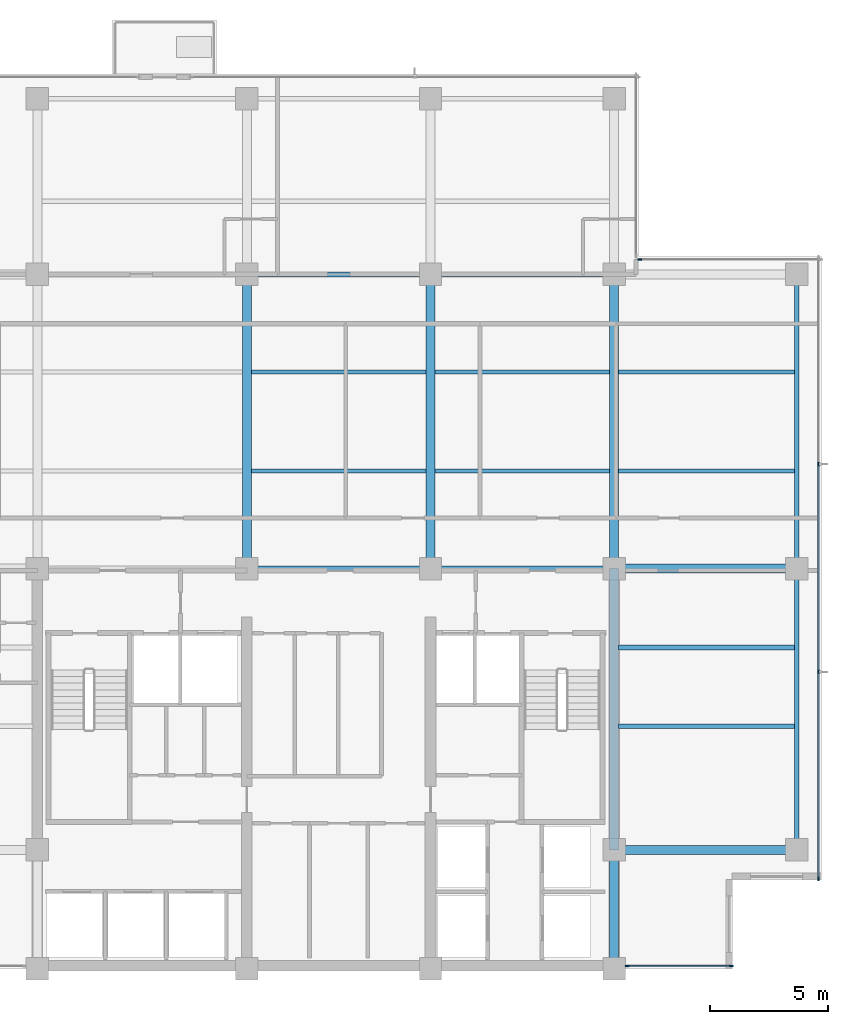
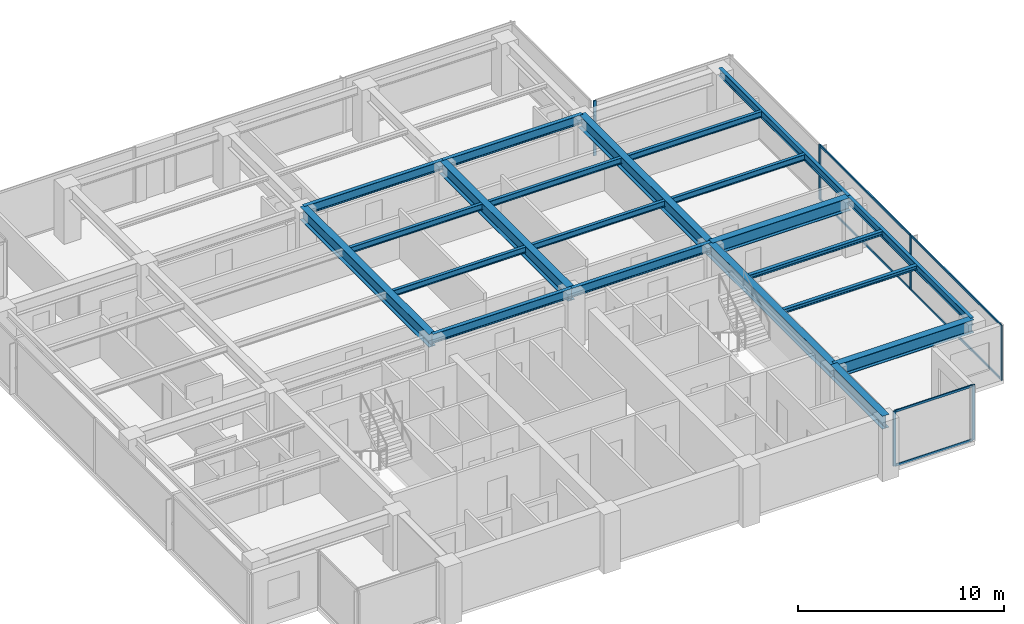
# One storey, part 3 of 14: 21 beams, 12 members, 3 elements without a shape of their own.
"""IFC4 building model written with IfcOpenShell, lengths in metres."""

from ifc_helpers import new_model, si_unit, direction, frame, origin, origin_2d, place, context, subcontext, project, spatial, rectangle, i_section, extrude, material, layer, layer_set, material_profile, profile_set, type_object, element, aggregate, save


model = new_model("IFC4")

# Units and contexts
model_context = context("Model", 3, precision=1e-05, world=origin(), true_north=direction((0.0, 1.0)))
body_context = subcontext(model_context, "Body", "Model", "MODEL_VIEW")
ifc_project = project(units=[si_unit("LENGTHUNIT", "METRE"), si_unit("AREAUNIT", "SQUARE_METRE"), si_unit("VOLUMEUNIT", "CUBIC_METRE"), si_unit("PLANEANGLEUNIT", "RADIAN"), si_unit("MASSUNIT", "GRAM", prefix="KILO")], contexts=[model_context])

# Site, building, storey
site_placement = place(None, origin())
site = spatial("IfcSite", under=ifc_project, at=site_placement, CompositionType="ELEMENT")
building_placement = place(site_placement, origin())
building = spatial("IfcBuilding", under=site, at=building_placement, Name="Qalmaran Belvedere Hotel", CompositionType="ELEMENT")
storey_placement = place(building_placement, frame((0.0, 0.0, 224.89990234375)))
storey = spatial("IfcBuildingStorey", under=building, at=storey_placement, Name="L57", CompositionType="ELEMENT", Elevation=224.89990234375)

# Beams
ifc_material_1 = material(Name="Steel S355JR", Category="steel")
ifc_material_profile_1 = material_profile(ifc_material_1, i_section(OverallWidth=0.201904296875, OverallDepth=0.2470703125, WebThickness=0.00732421875, FlangeThickness=0.010986328125, FilletRadius=0.011962890625, at=origin_2d()), Name="W250X49")
ifc_profile_set_1 = profile_set([ifc_material_profile_1], Name="Steel S355JR")
beam_type_1 = type_object("IfcBeamType", Name="BM-JST-W250X49", PredefinedType="JOIST", material=ifc_profile_set_1)
for number, where, z_axis, x_axis, name in (
    (1, (44.988525390625, 13.800048828125, 3.13671875), (1.0, 0.0, 0.0), (0.0, 1.0, 0.0), "L57 East Wing Joist 039"),
    (2, (44.988525390625, 17.14990234375, 3.13671875), (1.0, 0.0, 0.0), (0.0, 1.0, 0.0), "L57 East Wing Joist 041"),
):
    element("IfcBeam", number, at=place(storey_placement, frame(where, z_axis=z_axis, x_axis=x_axis)), inside=storey, type_object=beam_type_1, Name=name, PredefinedType="JOIST", context=body_context, shape_type="SweptSolid", body=[
        extrude(i_section(OverallWidth=0.201904296875, OverallDepth=0.2470703125, WebThickness=0.00732421875, FlangeThickness=0.010986328125, FilletRadius=0.011962890625, at=origin_2d()), origin(), (0.0, 0.0, 1.0), 7.467529296875),
    ])
ifc_material_profile_2 = material_profile(ifc_material_1, i_section(OverallWidth=0.381103515625, OverallDepth=0.77294921875, WebThickness=0.0166015625, FlangeThickness=0.027099609375, FilletRadius=0.02197265625, at=origin_2d()), Name="W760X257")
ifc_profile_set_2 = profile_set([ifc_material_profile_2], Name="Steel S355JR")
beam_type_2 = type_object("IfcBeamType", Name="BM-PG4-W760X257", PredefinedType="USERDEFINED", material=ifc_profile_set_2)
for number, where, z_axis, x_axis, name in (
    (3, (29.199951171875, 20.5, 2.87353515625), (0.0, 1.0, 0.0), (-1.0, 0.0, 0.0), "L57 Mid-Plate N-S Girder 16"),
    (4, (37.0, 20.5, 2.87353515625), (0.0, 1.0, 0.0), (-1.0, 0.0, 0.0), "L57 Mid-Plate N-S Girder 18"),
    (5, (44.800048828125, 20.5, 2.87353515625), (0.0, 1.0, 0.0), (-1.0, 0.0, 0.0), "L57 Mid-Plate N-S Girder 20"),
):
    element("IfcBeam", number, at=place(storey_placement, frame(where, z_axis=z_axis, x_axis=x_axis)), inside=storey, type_object=beam_type_2, Name=name, ObjectType="GIRDER", PredefinedType="USERDEFINED", context=body_context, shape_type="SweptSolid", body=[
        extrude(i_section(OverallWidth=0.381103515625, OverallDepth=0.77294921875, WebThickness=0.0166015625, FlangeThickness=0.027099609375, FilletRadius=0.02197265625, at=origin_2d()), origin(), (0.0, 0.0, 1.0), 12.5),
    ])
beam_1_placement = place(storey_placement, frame((44.800048828125, 3.5, 2.87353515625), z_axis=(0.0, 1.0, 0.0), x_axis=(-1.0, 0.0, 0.0)))
element("IfcBeam", 6, at=beam_1_placement, inside=storey, type_object=beam_type_2, Name="L57 East Core Edge Girder A", ObjectType="GIRDER", PredefinedType="USERDEFINED", context=body_context, shape_type="SweptSolid", body=[
    extrude(i_section(OverallWidth=0.381103515625, OverallDepth=0.77294921875, WebThickness=0.0166015625, FlangeThickness=0.027099609375, FilletRadius=0.02197265625, at=origin_2d()), origin(), (0.0, 0.0, 1.0), 5.050048828125),
])
beam_2_placement = place(storey_placement, frame((44.800048828125, 8.550048828125, 2.87353515625), z_axis=(0.0, 1.0, 0.0), x_axis=(-1.0, 0.0, 0.0)))
element("IfcBeam", 7, at=beam_2_placement, inside=storey, type_object=beam_type_2, Name="L57 East Core Edge Girder B", ObjectType="GIRDER", PredefinedType="USERDEFINED", context=body_context, shape_type="SweptSolid", body=[
    extrude(i_section(OverallWidth=0.381103515625, OverallDepth=0.77294921875, WebThickness=0.0166015625, FlangeThickness=0.027099609375, FilletRadius=0.02197265625, at=origin_2d()), origin(), (0.0, 0.0, 1.0), 11.949951171875),
])
for number, where, z_axis, x_axis, name in (
    (8, (44.800048828125, 8.550048828125, 2.87353515625), (1.0, 0.0, 0.0), (0.0, 1.0, 0.0), "L57 East Wing Girder 25"),
    (9, (44.800048828125, 20.5, 2.87353515625), (1.0, 0.0, 0.0), (0.0, 1.0, 0.0), "L57 East Wing Girder 26"),
):
    element("IfcBeam", number, at=place(storey_placement, frame(where, z_axis=z_axis, x_axis=x_axis)), inside=storey, type_object=beam_type_2, Name=name, ObjectType="GIRDER", PredefinedType="USERDEFINED", context=body_context, shape_type="SweptSolid", body=[
        extrude(i_section(OverallWidth=0.381103515625, OverallDepth=0.77294921875, WebThickness=0.0166015625, FlangeThickness=0.027099609375, FilletRadius=0.02197265625, at=origin_2d()), origin(), (0.0, 0.0, 1.0), 7.75),
    ])
ifc_material_profile_3 = material_profile(ifc_material_1, i_section(OverallWidth=0.172119140625, OverallDepth=0.35791015625, WebThickness=0.0078125, FlangeThickness=0.01318359375, FilletRadius=0.014892578125, at=origin_2d()), Name="W360X57")
ifc_profile_set_3 = profile_set([ifc_material_profile_3], Name="Steel S355JR")
beam_type_3 = type_object("IfcBeamType", Name="BM-SB4-W360X57", PredefinedType="BEAM", material=ifc_profile_set_3)
for number, where, z_axis, x_axis, name in (
    (10, (29.388427734375, 24.64990234375, 3.0810546875), (1.0, 0.0, 0.0), (0.0, 1.0, 0.0), "L57 Secondary Floor Beam 030"),
    (11, (37.1884765625, 24.64990234375, 3.0810546875), (1.0, 0.0, 0.0), (0.0, 1.0, 0.0), "L57 Secondary Floor Beam 031"),
):
    element("IfcBeam", number, at=place(storey_placement, frame(where, z_axis=z_axis, x_axis=x_axis)), inside=storey, type_object=beam_type_3, Name=name, PredefinedType="BEAM", context=body_context, shape_type="SweptSolid", body=[
        extrude(i_section(OverallWidth=0.172119140625, OverallDepth=0.35791015625, WebThickness=0.0078125, FlangeThickness=0.01318359375, FilletRadius=0.014892578125, at=origin_2d()), origin(), (0.0, 0.0, 1.0), 7.423095703125),
    ])
beam_3_placement = place(storey_placement, frame((44.988525390625, 24.64990234375, 3.0810546875), z_axis=(1.0, 0.0, 0.0), x_axis=(0.0, 1.0, 0.0)))
element("IfcBeam", 12, at=beam_3_placement, inside=storey, type_object=beam_type_3, Name="L57 East Secondary Beam 032", PredefinedType="BEAM", context=body_context, shape_type="SweptSolid", body=[
    extrude(i_section(OverallWidth=0.172119140625, OverallDepth=0.35791015625, WebThickness=0.0078125, FlangeThickness=0.01318359375, FilletRadius=0.014892578125, at=origin_2d()), origin(), (0.0, 0.0, 1.0), 7.467529296875),
])
for number, where, z_axis, x_axis, name in (
    (13, (29.388427734375, 28.85009765625, 3.0810546875), (1.0, 0.0, 0.0), (0.0, 1.0, 0.0), "L57 Secondary Floor Beam 035"),
    (14, (37.1884765625, 28.85009765625, 3.0810546875), (1.0, 0.0, 0.0), (0.0, 1.0, 0.0), "L57 Secondary Floor Beam 036"),
):
    element("IfcBeam", number, at=place(storey_placement, frame(where, z_axis=z_axis, x_axis=x_axis)), inside=storey, type_object=beam_type_3, Name=name, PredefinedType="BEAM", context=body_context, shape_type="SweptSolid", body=[
        extrude(i_section(OverallWidth=0.172119140625, OverallDepth=0.35791015625, WebThickness=0.0078125, FlangeThickness=0.01318359375, FilletRadius=0.014892578125, at=origin_2d()), origin(), (0.0, 0.0, 1.0), 7.423095703125),
    ])
beam_4_placement = place(storey_placement, frame((44.988525390625, 28.85009765625, 3.0810546875), z_axis=(1.0, 0.0, 0.0), x_axis=(0.0, 1.0, 0.0)))
element("IfcBeam", 15, at=beam_4_placement, inside=storey, type_object=beam_type_3, Name="L57 East Secondary Beam 037", PredefinedType="BEAM", context=body_context, shape_type="SweptSolid", body=[
    extrude(i_section(OverallWidth=0.172119140625, OverallDepth=0.35791015625, WebThickness=0.0078125, FlangeThickness=0.01318359375, FilletRadius=0.014892578125, at=origin_2d()), origin(), (0.0, 0.0, 1.0), 7.467529296875),
])
ifc_material_profile_4 = material_profile(ifc_material_1, i_section(OverallWidth=0.19189453125, OverallDepth=0.462890625, WebThickness=0.010498046875, FlangeThickness=0.017578125, FilletRadius=0.01611328125, at=origin_2d()), Name="W460X89")
ifc_profile_set_4 = profile_set([ifc_material_profile_4], Name="Steel S355JR")
beam_type_4 = type_object("IfcBeamType", Name="BM-SP2-W460X89", PredefinedType="SPANDREL", material=ifc_profile_set_4)
beam_5_placement = place(storey_placement, frame((52.550048828125, 8.550048828125, 3.028564453125), z_axis=(0.0, 1.0, 0.0), x_axis=(-1.0, 0.0, 0.0)))
element("IfcBeam", 16, at=beam_5_placement, inside=storey, type_object=beam_type_4, Name="L57 Perimeter Spandrel 03", PredefinedType="SPANDREL", context=body_context, shape_type="SweptSolid", body=[
    extrude(i_section(OverallWidth=0.19189453125, OverallDepth=0.462890625, WebThickness=0.010498046875, FlangeThickness=0.017578125, FilletRadius=0.01611328125, at=origin_2d()), origin(), (0.0, 0.0, 1.0), 11.949951171875),
])
beam_6_placement = place(storey_placement, frame((52.550048828125, 20.5, 3.028564453125), z_axis=(0.0, 1.0, 0.0), x_axis=(-1.0, 0.0, 0.0)))
element("IfcBeam", 17, at=beam_6_placement, inside=storey, type_object=beam_type_4, Name="L57 Perimeter Spandrel 04", PredefinedType="SPANDREL", context=body_context, shape_type="SweptSolid", body=[
    extrude(i_section(OverallWidth=0.19189453125, OverallDepth=0.462890625, WebThickness=0.010498046875, FlangeThickness=0.017578125, FilletRadius=0.01611328125, at=origin_2d()), origin(), (0.0, 0.0, 1.0), 12.5),
])
ifc_material_profile_5 = material_profile(ifc_material_1, i_section(OverallWidth=0.2109375, OverallDepth=0.5390625, WebThickness=0.01171875, FlangeThickness=0.018798828125, FilletRadius=0.01806640625, at=origin_2d()), Name="W530X109")
ifc_profile_set_5 = profile_set([ifc_material_profile_5], Name="Steel S355JR")
beam_type_5 = type_object("IfcBeamType", Name="BM-Z4-W530X109", PredefinedType="USERDEFINED", material=ifc_profile_set_5)
for number, where, z_axis, x_axis, name in (
    (18, (29.199951171875, 20.5, 2.990478515625), (1.0, 0.0, 0.0), (0.0, 1.0, 0.0), "L57 Interior E-W Girder 09"),
    (19, (37.0, 20.5, 2.990478515625), (1.0, 0.0, 0.0), (0.0, 1.0, 0.0), "L57 Interior E-W Girder 10"),
    (20, (29.199951171875, 33.0, 2.990478515625), (1.0, 0.0, 0.0), (0.0, 1.0, 0.0), "L57 Interior E-W Girder 12"),
    (21, (37.0, 33.0, 2.990478515625), (1.0, 0.0, 0.0), (0.0, 1.0, 0.0), "L57 Interior E-W Girder 13"),
):
    element("IfcBeam", number, at=place(storey_placement, frame(where, z_axis=z_axis, x_axis=x_axis)), inside=storey, type_object=beam_type_5, Name=name, ObjectType="GIRDER", PredefinedType="USERDEFINED", context=body_context, shape_type="SweptSolid", body=[
        extrude(i_section(OverallWidth=0.2109375, OverallDepth=0.5390625, WebThickness=0.01171875, FlangeThickness=0.018798828125, FilletRadius=0.01806640625, at=origin_2d()), origin(), (0.0, 0.0, 1.0), 7.800048828125),
    ])

# Curtain wall, members
ifc_material_2 = material(Name="Anodised Bronze Aluminium", Category="aluminium")
ifc_layer = layer(ifc_material_2, 0.18994140625, Name="Anodised Bronze Aluminium")
ifc_layer_set = layer_set([ifc_layer], Name="Anodised Bronze Aluminium")
curtain_wall_type = type_object("IfcCurtainWallType", Name="CW5-TOWER-UPPER", PredefinedType="NOTDEFINED", material=ifc_layer_set)
curtain_wall_1_placement = place(storey_placement, origin())
curtain_wall_1 = element("IfcCurtainWall", 22, at=curtain_wall_1_placement, inside=storey, type_object=curtain_wall_type, Name="L57 Curtain Wall CW5", PredefinedType="NOTDEFINED")
ifc_material_profile_6 = material_profile(ifc_material_2, rectangle(XDim=0.06494140625, YDim=0.1650390625, at=origin_2d()), Name="CWM65X165")
ifc_profile_set_6 = profile_set([ifc_material_profile_6], Name="Anodised Bronze Aluminium")
member_type_1 = type_object("IfcMemberType", Name="CWM-65X165", PredefinedType="MULLION", material=ifc_profile_set_6)
member_1_placement = place(storey_placement, frame((45.347412109375, 3.6201171875, 0.0), z_axis=(0.0, 0.0, 1.0), x_axis=(0.0, 1.0, 0.0)))
member_1 = element("IfcMember", 23, at=member_1_placement, type_object=member_type_1, Name="CW5 mullion 1", PredefinedType="MULLION", context=body_context, shape_type="SweptSolid", body=[
    extrude(rectangle(XDim=0.06494140625, YDim=0.1650390625, at=origin_2d()), origin(), (0.0, 0.0, 1.0), 3.260009765625),
])
member_2_placement = place(storey_placement, frame((49.767578125, 3.6201171875, 0.0), z_axis=(0.0, 0.0, 1.0), x_axis=(0.0, 1.0, 0.0)))
member_2 = element("IfcMember", 24, at=member_2_placement, type_object=member_type_1, Name="CW5 mullion 2", PredefinedType="MULLION", context=body_context, shape_type="SweptSolid", body=[
    extrude(rectangle(XDim=0.06494140625, YDim=0.1650390625, at=origin_2d()), origin(), (0.0, 0.0, 1.0), 3.260009765625),
])

curtain_wall_2_placement = place(storey_placement, origin())
curtain_wall_2 = element("IfcCurtainWall", 25, at=curtain_wall_2_placement, inside=storey, type_object=curtain_wall_type, Name="L57 Curtain Wall CW5", PredefinedType="NOTDEFINED")
member_3_placement = place(storey_placement, frame((53.47998046875, 7.33251953125, 0.0), z_axis=(0.0, 0.0, 1.0), x_axis=(-1.0, 0.0, 0.0)))
member_3 = element("IfcMember", 26, at=member_3_placement, type_object=member_type_1, Name="CW5 mullion 1", PredefinedType="MULLION", context=body_context, shape_type="SweptSolid", body=[
    extrude(rectangle(XDim=0.06494140625, YDim=0.1650390625, at=origin_2d()), origin(), (0.0, 0.0, 1.0), 3.260009765625),
])
member_4_placement = place(storey_placement, frame((53.47998046875, 16.11669921875, 0.0), z_axis=(0.0, 0.0, 1.0), x_axis=(-1.0, 0.0, 0.0)))
member_4 = element("IfcMember", 27, at=member_4_placement, type_object=member_type_1, Name="CW5 mullion 2", PredefinedType="MULLION", context=body_context, shape_type="SweptSolid", body=[
    extrude(rectangle(XDim=0.06494140625, YDim=0.1650390625, at=origin_2d()), origin(), (0.0, 0.0, 1.0), 3.260009765625),
])
member_5_placement = place(storey_placement, frame((53.47998046875, 24.933349609375, 0.0), z_axis=(0.0, 0.0, 1.0), x_axis=(-1.0, 0.0, 0.0)))
member_5 = element("IfcMember", 28, at=member_5_placement, type_object=member_type_1, Name="CW5 mullion 3", PredefinedType="MULLION", context=body_context, shape_type="SweptSolid", body=[
    extrude(rectangle(XDim=0.06494140625, YDim=0.1650390625, at=origin_2d()), origin(), (0.0, 0.0, 1.0), 3.260009765625),
])

# Curtain wall, member
curtain_wall_3_placement = place(storey_placement, origin())
curtain_wall_3 = element("IfcCurtainWall", 29, at=curtain_wall_3_placement, inside=storey, type_object=curtain_wall_type, Name="L57 Curtain Wall CW5", PredefinedType="NOTDEFINED")
member_6_placement = place(storey_placement, frame((45.882568359375, 33.6298828125, 0.0), z_axis=(0.0, 0.0, 1.0), x_axis=(0.0, -1.0, 0.0)))
member_6 = element("IfcMember", 30, at=member_6_placement, type_object=member_type_1, Name="CW5 mullion 2", PredefinedType="MULLION", context=body_context, shape_type="SweptSolid", body=[
    extrude(rectangle(XDim=0.06494140625, YDim=0.1650390625, at=origin_2d()), origin(), (0.0, 0.0, 1.0), 3.260009765625),
])
aggregate(curtain_wall_3, [member_6])

# Member
ifc_material_profile_7 = material_profile(ifc_material_2, rectangle(XDim=0.06494140625, YDim=0.1298828125, at=origin_2d()), Name="CWT65X130")
ifc_profile_set_7 = profile_set([ifc_material_profile_7], Name="Anodised Bronze Aluminium")
member_type_2 = type_object("IfcMemberType", Name="CWT-65X130", PredefinedType="USERDEFINED", material=ifc_profile_set_7)
member_7_placement = place(storey_placement, frame((45.3798828125, 3.6201171875, 0.03271484375), z_axis=(1.0, 0.0, 0.0), x_axis=(0.0, 1.0, 0.0)))
member_7 = element("IfcMember", 31, at=member_7_placement, type_object=member_type_2, Name="CW5 transom 1.1", ObjectType="TRANSOM", PredefinedType="USERDEFINED", context=body_context, shape_type="SweptSolid", body=[
    extrude(rectangle(XDim=0.06494140625, YDim=0.1298828125, at=origin_2d()), origin(), (0.0, 0.0, 1.0), 4.355224609375),
])

member_8_placement = place(storey_placement, frame((45.3798828125, 3.6201171875, 3.2275390625), z_axis=(1.0, 0.0, 0.0), x_axis=(0.0, 1.0, 0.0)))
member_8 = element("IfcMember", 32, at=member_8_placement, type_object=member_type_2, Name="CW5 transom 1.2", ObjectType="TRANSOM", PredefinedType="USERDEFINED", context=body_context, shape_type="SweptSolid", body=[
    extrude(rectangle(XDim=0.06494140625, YDim=0.1298828125, at=origin_2d()), origin(), (0.0, 0.0, 1.0), 4.355224609375),
])

aggregate(curtain_wall_1, [member_1, member_2, member_7, member_8])

member_9_placement = place(storey_placement, frame((53.47998046875, 7.364990234375, 0.03271484375), z_axis=(0.0, 1.0, 0.0), x_axis=(-1.0, 0.0, 0.0)))
member_9 = element("IfcMember", 33, at=member_9_placement, type_object=member_type_2, Name="CW5 transom 1.1", ObjectType="TRANSOM", PredefinedType="USERDEFINED", context=body_context, shape_type="SweptSolid", body=[
    extrude(rectangle(XDim=0.06494140625, YDim=0.1298828125, at=origin_2d()), origin(), (0.0, 0.0, 1.0), 8.71923828125),
])

member_10_placement = place(storey_placement, frame((53.47998046875, 7.364990234375, 3.2275390625), z_axis=(0.0, 1.0, 0.0), x_axis=(-1.0, 0.0, 0.0)))
member_10 = element("IfcMember", 34, at=member_10_placement, type_object=member_type_2, Name="CW5 transom 1.2", ObjectType="TRANSOM", PredefinedType="USERDEFINED", context=body_context, shape_type="SweptSolid", body=[
    extrude(rectangle(XDim=0.06494140625, YDim=0.1298828125, at=origin_2d()), origin(), (0.0, 0.0, 1.0), 8.71923828125),
])

member_11_placement = place(storey_placement, frame((53.47998046875, 16.149169921875, 0.03271484375), z_axis=(0.0, 1.0, 0.0), x_axis=(-1.0, 0.0, 0.0)))
member_11 = element("IfcMember", 35, at=member_11_placement, type_object=member_type_2, Name="CW5 transom 2.1", ObjectType="TRANSOM", PredefinedType="USERDEFINED", context=body_context, shape_type="SweptSolid", body=[
    extrude(rectangle(XDim=0.06494140625, YDim=0.1298828125, at=origin_2d()), origin(), (0.0, 0.0, 1.0), 8.751708984375),
])

member_12_placement = place(storey_placement, frame((53.47998046875, 16.149169921875, 3.2275390625), z_axis=(0.0, 1.0, 0.0), x_axis=(-1.0, 0.0, 0.0)))
member_12 = element("IfcMember", 36, at=member_12_placement, type_object=member_type_2, Name="CW5 transom 2.2", ObjectType="TRANSOM", PredefinedType="USERDEFINED", context=body_context, shape_type="SweptSolid", body=[
    extrude(rectangle(XDim=0.06494140625, YDim=0.1298828125, at=origin_2d()), origin(), (0.0, 0.0, 1.0), 8.751708984375),
])

aggregate(curtain_wall_2, [member_3, member_4, member_5, member_9, member_10, member_11, member_12])

save(model, "model.ifc")
